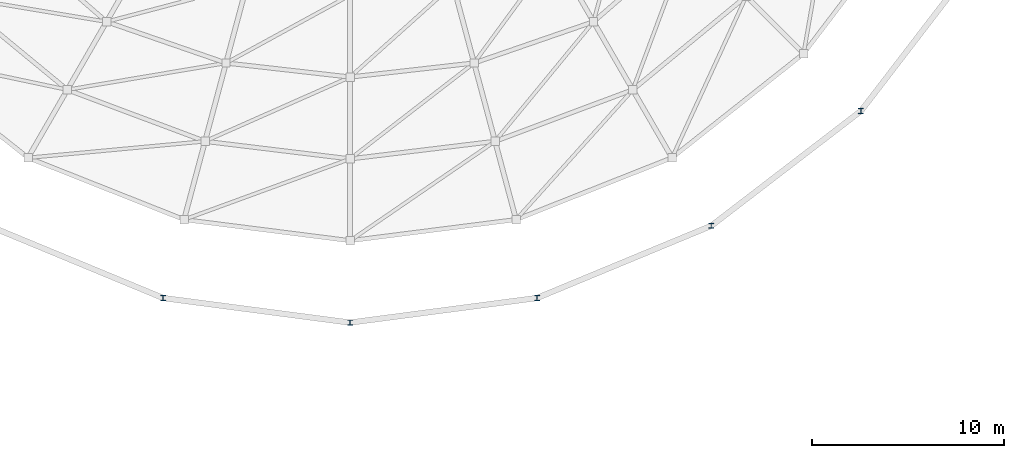
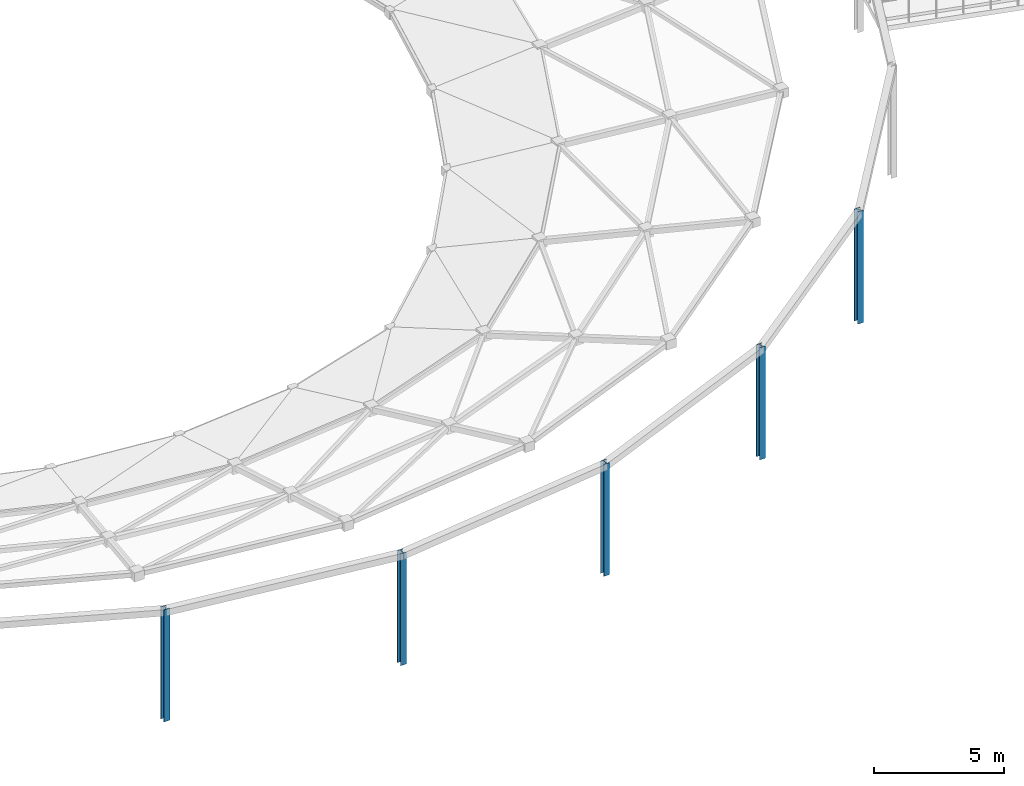
# One storey, part 3 of 89: 5 columns.
"""IFC4 building model written with IfcOpenShell, lengths in metres."""

from ifc_helpers import new_model, si_unit, direction, frame, origin, origin_2d, place, context, subcontext, project, spatial, i_section, extrude, material, material_profile, profile_set, type_object, element, save


model = new_model("IFC4")

# Units and contexts
model_context = context("Model", 3, precision=1e-05, world=origin(), true_north=direction((0.0, 1.0)))
body_context = subcontext(model_context, "Body", "Model", "MODEL_VIEW")
ifc_project = project(units=[si_unit("LENGTHUNIT", "METRE"), si_unit("AREAUNIT", "SQUARE_METRE"), si_unit("VOLUMEUNIT", "CUBIC_METRE"), si_unit("PLANEANGLEUNIT", "RADIAN"), si_unit("MASSUNIT", "GRAM", prefix="KILO")], contexts=[model_context])

# Site, building, storey
site_placement = place(None, origin())
site = spatial("IfcSite", under=ifc_project, at=site_placement, CompositionType="ELEMENT")
building_placement = place(site_placement, origin())
building = spatial("IfcBuilding", under=site, at=building_placement, Name="Almandine Court Research Institute", CompositionType="ELEMENT")
storey_placement = place(building_placement, frame((0.0, 0.0, 18.89990234375)))
storey = spatial("IfcBuildingStorey", under=building, at=storey_placement, Name="L04", CompositionType="ELEMENT", Elevation=18.89990234375)

# Columns
ifc_material = material(Name="Steel ASTM A992 Grade 50", Category="steel")
ifc_material_profile = material_profile(ifc_material, i_section(OverallWidth=0.257080078125, OverallDepth=0.263916015625, WebThickness=0.011962890625, FlangeThickness=0.02001953125, at=origin_2d()), Name="W250x101")
ifc_profile_set = profile_set([ifc_material_profile], Name="Steel ASTM A992 Grade 50")
column_type = type_object("IfcColumnType", Name="Col-C-W09-E", PredefinedType="COLUMN", material=ifc_profile_set)
for number, where, z_axis, x_axis, name in (
    (1, (77.2548828125, 19.633056640625, 0.0), (0.0, 0.0, 1.0), (1.0, 0.0, 0.0), "L04 V2 Column V2-OUT-S17"),
    (2, (87.0, 18.35009765625, 0.0), (0.0, 0.0, 1.0), (1.0, 0.0, 0.0), "L04 V2 Column V2-OUT-S18"),
    (3, (96.7451171875, 19.633056640625, 0.0), (0.0, 0.0, 1.0), (1.0, 0.0, 0.0), "L04 V2 Column V2-OUT-S19"),
    (4, (105.824951171875, 23.39404296875, 0.0), (0.0, 0.0, 1.0), (1.0, 0.0, 0.0), "L04 V2 Column V2-OUT-S20"),
    (5, (113.623046875, 29.376953125, 0.0), (0.0, 0.0, 1.0), (1.0, 0.0, 0.0), "L04 V2 Column V2-OUT-S21"),
):
    element("IfcColumn", number, at=place(storey_placement, frame(where, z_axis=z_axis, x_axis=x_axis)), inside=storey, type_object=column_type, Name=name, PredefinedType="COLUMN", context=body_context, shape_type="SweptSolid", body=[
        extrude(i_section(OverallWidth=0.257080078125, OverallDepth=0.263916015625, WebThickness=0.011962890625, FlangeThickness=0.02001953125, at=origin_2d()), origin(), (0.0, 0.0, 1.0), 5.25),
    ])

save(model, "model.ifc")
